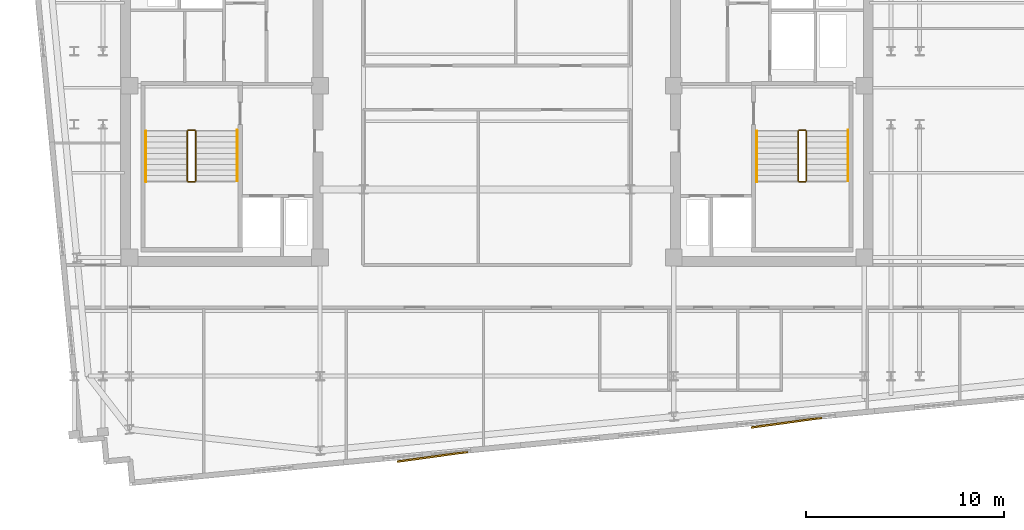
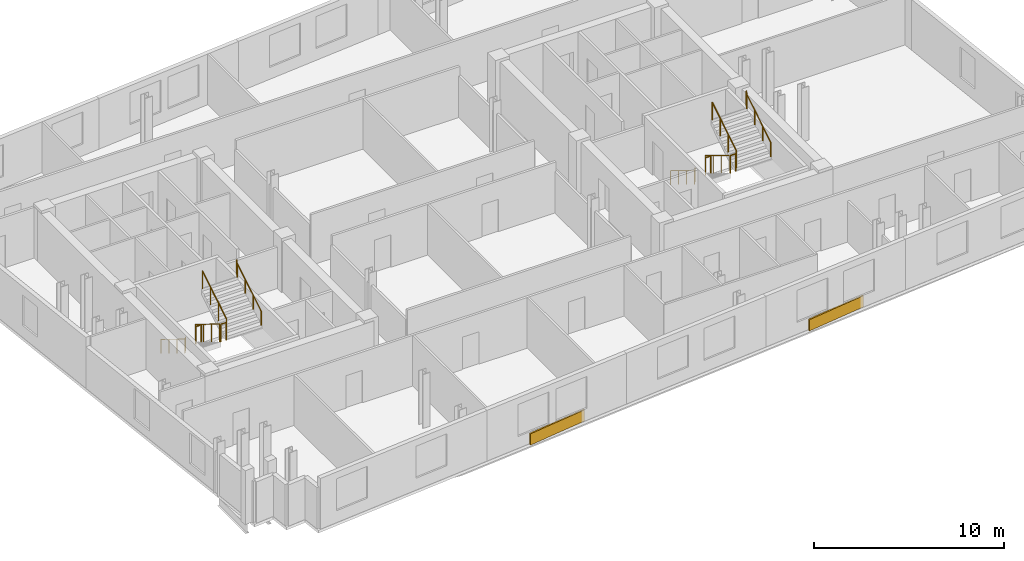
# One storey, part 8 of 9: 12 railings, 2 coverings.
"""IFC4 building model written with IfcOpenShell, lengths in metres."""

from ifc_helpers import new_model, si_unit, direction, frame, origin, origin_2d, place, context, subcontext, project, spatial, rectangle, circle, extrude, material, layer, layer_set, type_object, element, save


model = new_model("IFC4")

# Units and contexts
model_context = context("Model", 3, precision=1e-05, world=origin(), true_north=direction((0.0, 1.0)))
body_context = subcontext(model_context, "Body", "Model", "MODEL_VIEW")
ifc_project = project(units=[si_unit("LENGTHUNIT", "METRE"), si_unit("AREAUNIT", "SQUARE_METRE"), si_unit("VOLUMEUNIT", "CUBIC_METRE"), si_unit("PLANEANGLEUNIT", "RADIAN"), si_unit("MASSUNIT", "GRAM", prefix="KILO")], contexts=[model_context])

# Site, building, storey
site_placement = place(None, origin())
site = spatial("IfcSite", under=ifc_project, at=site_placement, CompositionType="ELEMENT")
building_placement = place(site_placement, origin())
building = spatial("IfcBuilding", under=site, at=building_placement, Name="Velakula Bourse", CompositionType="ELEMENT")
storey_placement = place(building_placement, frame((0.0, 0.0, 262.050048828125)))
storey = spatial("IfcBuildingStorey", under=building, at=storey_placement, Name="L71", CompositionType="ELEMENT", Elevation=262.050048828125)

# Coverings
ifc_material_1 = material(Name="Buff kilned clay facing brick masonry", Category="masonry")
ifc_layer = layer(ifc_material_1, 0.074951171875, Name="Buff kilned clay facing brick masonry", Category="masonry")
ifc_layer_set = layer_set([ifc_layer], Name="Buff kilned clay facing brick masonry")
covering_type = type_object("IfcCoveringType", Name="COV-BRK-SPN-75", PredefinedType="CLADDING", material=ifc_layer_set)
for number, where, z_axis, x_axis, name in (
    (1, (-3.26220703125, -18.68115234375, 0.0), (0.0, 0.0, 1.0), (0.990629029058, 0.136580111242, 0.0), "L71 Folded Brick Facade Cladding Panel S-B2"),
    (2, (14.655029296875, -16.955810546875, 0.0), (0.0, 0.0, 1.0), (0.990629029058, 0.136580111242, 0.0), "L71 Folded Brick Facade Cladding Panel S-B4"),
):
    element("IfcCovering", number, at=place(storey_placement, frame(where, z_axis=z_axis, x_axis=x_axis)), inside=storey, type_object=covering_type, Name=name, PredefinedType="CLADDING", context=body_context, shape_type="SweptSolid", body=[
        extrude(rectangle(XDim=3.60009765625, YDim=0.090087890625, at=origin_2d()), origin(), (0.0, 0.0, 1.0), 0.719970703125),
    ])

# Railings
ifc_material_2 = material(Name="Brushed grade 316 stainless steel", Category="steel")
railing_type_1 = type_object("IfcRailingType", Name="RLG-STAIR-GUARD-1150", PredefinedType="BALUSTRADE", material=ifc_material_2)
railing_1_placement = place(storey_placement, frame((-15.672119140625, -2.199951171875, 0.17236328125)))
element("IfcRailing", 3, at=railing_1_placement, inside=storey, type_object=railing_type_1, Name="L71 ST-W1 stair guard 1", PredefinedType="BALUSTRADE", context=body_context, shape_type="SweptSolid", body=[
    extrude(circle(Radius=0.02490234375, at=origin_2d()), frame((0.0, 0.0, 1.125), z_axis=(0.0, -0.851400495292, 0.524516154772), x_axis=(1.0, 0.0, 0.0)), (0.0, 0.0, 1.0), 2.9599609375),
    extrude(circle(Radius=0.02099609375, at=origin_2d()), origin(), (0.0, 0.0, 1.0), 1.099853515625),
    extrude(circle(Radius=0.02099609375, at=origin_2d()), frame((0.0, -0.840087890625, 0.517578125)), (0.0, 0.0, 1.0), 1.099853515625),
    extrude(circle(Radius=0.02099609375, at=origin_2d()), frame((0.0, -1.679931640625, 1.034912109375)), (0.0, 0.0, 1.0), 1.099853515625),
    extrude(circle(Radius=0.02099609375, at=origin_2d()), frame((0.0, -2.52001953125, 1.552490234375)), (0.0, 0.0, 1.0), 1.099853515625),
])
railing_2_placement = place(storey_placement, frame((-15.6220703125, -4.77001953125, 1.724853515625)))
element("IfcRailing", 4, at=railing_2_placement, inside=storey, type_object=railing_type_1, Name="L71 ST-W1 stair guard 2", PredefinedType="BALUSTRADE", context=body_context, shape_type="SweptSolid", body=[
    extrude(circle(Radius=0.02490234375, at=origin_2d()), frame((0.0, 0.0, 1.125), z_axis=(1.0, 0.0, 0.0), x_axis=(0.0, 1.0, 0.0)), (0.0, 0.0, 1.0), 0.323974609375),
    extrude(circle(Radius=0.02099609375, at=origin_2d()), origin(), (0.0, 0.0, 1.0), 1.099853515625),
    extrude(circle(Radius=0.02099609375, at=origin_2d()), frame((0.323974609375, 0.0, 0.0)), (0.0, 0.0, 1.0), 1.099853515625),
])
railing_3_placement = place(storey_placement, frame((-15.248046875, -4.719970703125, 1.8974609375)))
element("IfcRailing", 5, at=railing_3_placement, inside=storey, type_object=railing_type_1, Name="L71 ST-W1 stair guard 3", PredefinedType="BALUSTRADE", context=body_context, shape_type="SweptSolid", body=[
    extrude(circle(Radius=0.02490234375, at=origin_2d()), frame((0.0, 0.0, 1.125), z_axis=(0.0, 0.851400495292, 0.524516154772), x_axis=(-1.0, 0.0, 0.0)), (0.0, 0.0, 1.0), 2.9599609375),
    extrude(circle(Radius=0.02099609375, at=origin_2d()), origin(), (0.0, 0.0, 1.0), 1.099853515625),
    extrude(circle(Radius=0.02099609375, at=origin_2d()), frame((0.0, 0.840087890625, 0.517578125)), (0.0, 0.0, 1.0), 1.099853515625),
    extrude(circle(Radius=0.02099609375, at=origin_2d()), frame((0.0, 1.679931640625, 1.034912109375)), (0.0, 0.0, 1.0), 1.099853515625),
    extrude(circle(Radius=0.02099609375, at=origin_2d()), frame((0.0, 2.52001953125, 1.552490234375)), (0.0, 0.0, 1.0), 1.099853515625),
])
railing_4_placement = place(storey_placement, frame((-15.6220703125, -2.14990234375, 0.0)))
element("IfcRailing", 6, at=railing_4_placement, inside=storey, type_object=railing_type_1, Name="L71 ST-W1 stair guard 4", PredefinedType="BALUSTRADE", context=body_context, shape_type="SweptSolid", body=[
    extrude(circle(Radius=0.02490234375, at=origin_2d()), frame((0.0, 0.0, 1.125), z_axis=(1.0, 0.0, 0.0), x_axis=(0.0, 1.0, 0.0)), (0.0, 0.0, 1.0), 0.323974609375),
    extrude(circle(Radius=0.02099609375, at=origin_2d()), origin(), (0.0, 0.0, 1.0), 1.099853515625),
    extrude(circle(Radius=0.02099609375, at=origin_2d()), frame((0.323974609375, 0.0, 0.0)), (0.0, 0.0, 1.0), 1.099853515625),
])
railing_5_placement = place(storey_placement, frame((15.248046875, -2.199951171875, 0.17236328125)))
element("IfcRailing", 7, at=railing_5_placement, inside=storey, type_object=railing_type_1, Name="L71 ST-E1 stair guard 1", PredefinedType="BALUSTRADE", context=body_context, shape_type="SweptSolid", body=[
    extrude(circle(Radius=0.02490234375, at=origin_2d()), frame((0.0, 0.0, 1.125), z_axis=(0.0, -0.851400495292, 0.524516154772), x_axis=(1.0, 0.0, 0.0)), (0.0, 0.0, 1.0), 2.9599609375),
    extrude(circle(Radius=0.02099609375, at=origin_2d()), origin(), (0.0, 0.0, 1.0), 1.099853515625),
    extrude(circle(Radius=0.02099609375, at=origin_2d()), frame((0.0, -0.840087890625, 0.517578125)), (0.0, 0.0, 1.0), 1.099853515625),
    extrude(circle(Radius=0.02099609375, at=origin_2d()), frame((0.0, -1.679931640625, 1.034912109375)), (0.0, 0.0, 1.0), 1.099853515625),
    extrude(circle(Radius=0.02099609375, at=origin_2d()), frame((0.0, -2.52001953125, 1.552490234375)), (0.0, 0.0, 1.0), 1.099853515625),
])
railing_6_placement = place(storey_placement, frame((15.298095703125, -4.77001953125, 1.724853515625)))
element("IfcRailing", 8, at=railing_6_placement, inside=storey, type_object=railing_type_1, Name="L71 ST-E1 stair guard 2", PredefinedType="BALUSTRADE", context=body_context, shape_type="SweptSolid", body=[
    extrude(circle(Radius=0.02490234375, at=origin_2d()), frame((0.0, 0.0, 1.125), z_axis=(1.0, 0.0, 0.0), x_axis=(0.0, 1.0, 0.0)), (0.0, 0.0, 1.0), 0.323974609375),
    extrude(circle(Radius=0.02099609375, at=origin_2d()), origin(), (0.0, 0.0, 1.0), 1.099853515625),
    extrude(circle(Radius=0.02099609375, at=origin_2d()), frame((0.323974609375, 0.0, 0.0)), (0.0, 0.0, 1.0), 1.099853515625),
])
railing_7_placement = place(storey_placement, frame((15.672119140625, -4.719970703125, 1.8974609375)))
element("IfcRailing", 9, at=railing_7_placement, inside=storey, type_object=railing_type_1, Name="L71 ST-E1 stair guard 3", PredefinedType="BALUSTRADE", context=body_context, shape_type="SweptSolid", body=[
    extrude(circle(Radius=0.02490234375, at=origin_2d()), frame((0.0, 0.0, 1.125), z_axis=(0.0, 0.851400495292, 0.524516154772), x_axis=(-1.0, 0.0, 0.0)), (0.0, 0.0, 1.0), 2.9599609375),
    extrude(circle(Radius=0.02099609375, at=origin_2d()), origin(), (0.0, 0.0, 1.0), 1.099853515625),
    extrude(circle(Radius=0.02099609375, at=origin_2d()), frame((0.0, 0.840087890625, 0.517578125)), (0.0, 0.0, 1.0), 1.099853515625),
    extrude(circle(Radius=0.02099609375, at=origin_2d()), frame((0.0, 1.679931640625, 1.034912109375)), (0.0, 0.0, 1.0), 1.099853515625),
    extrude(circle(Radius=0.02099609375, at=origin_2d()), frame((0.0, 2.52001953125, 1.552490234375)), (0.0, 0.0, 1.0), 1.099853515625),
])
railing_8_placement = place(storey_placement, frame((15.298095703125, -2.14990234375, 0.0)))
element("IfcRailing", 10, at=railing_8_placement, inside=storey, type_object=railing_type_1, Name="L71 ST-E1 stair guard 4", PredefinedType="BALUSTRADE", context=body_context, shape_type="SweptSolid", body=[
    extrude(circle(Radius=0.02490234375, at=origin_2d()), frame((0.0, 0.0, 1.125), z_axis=(1.0, 0.0, 0.0), x_axis=(0.0, 1.0, 0.0)), (0.0, 0.0, 1.0), 0.323974609375),
    extrude(circle(Radius=0.02099609375, at=origin_2d()), origin(), (0.0, 0.0, 1.0), 1.099853515625),
    extrude(circle(Radius=0.02099609375, at=origin_2d()), frame((0.323974609375, 0.0, 0.0)), (0.0, 0.0, 1.0), 1.099853515625),
])
railing_type_2 = type_object("IfcRailingType", Name="RLG-STAIR-HAND-920", PredefinedType="HANDRAIL", material=ifc_material_2)
railing_9_placement = place(storey_placement, frame((-17.77001953125, -2.199951171875, 0.17236328125)))
element("IfcRailing", 11, at=railing_9_placement, inside=storey, type_object=railing_type_2, Name="L71 ST-W1 stair handrail 1", PredefinedType="HANDRAIL", context=body_context, shape_type="SweptSolid", body=[
    extrude(circle(Radius=0.02099609375, at=origin_2d()), frame((0.0, 0.0, 0.89892578125), z_axis=(0.0, -0.851400495292, 0.524516154772), x_axis=(1.0, 0.0, 0.0)), (0.0, 0.0, 1.0), 2.9599609375),
    extrude(circle(Radius=0.02099609375, at=origin_2d()), frame((0.0, -2.52001953125, 2.451416015625), z_axis=(0.0, -0.22596628056, 0.974135124123), x_axis=(1.0, 0.0, 0.0)), (0.0, 0.0, 1.0), 0.17724609375),
    extrude(circle(Radius=0.02099609375, at=origin_2d()), frame((0.0, -2.56005859375, 2.6240234375), z_axis=(0.0, -1.0, 0.0), x_axis=(1.0, 0.0, 0.0)), (0.0, 0.0, 1.0), 0.0048828125),
    extrude(circle(Radius=0.02099609375, at=origin_2d()), origin(), (0.0, 0.0, 1.0), 0.8779296875),
    extrude(circle(Radius=0.02099609375, at=origin_2d()), frame((0.0, -0.840087890625, 0.517578125)), (0.0, 0.0, 1.0), 0.8779296875),
    extrude(circle(Radius=0.02099609375, at=origin_2d()), frame((0.0, -1.679931640625, 1.034912109375)), (0.0, 0.0, 1.0), 0.8779296875),
    extrude(circle(Radius=0.02099609375, at=origin_2d()), frame((0.0, -2.52001953125, 1.552490234375)), (0.0, 0.0, 1.0), 0.8779296875),
    extrude(circle(Radius=0.02099609375, at=origin_2d()), frame((0.0, -2.56005859375, 1.72509765625)), (0.0, 0.0, 1.0), 0.8779296875),
    extrude(circle(Radius=0.02099609375, at=origin_2d()), frame((0.0, -2.56494140625, 1.72509765625)), (0.0, 0.0, 1.0), 0.8779296875),
])
railing_10_placement = place(storey_placement, frame((-13.14990234375, -4.719970703125, 1.8974609375)))
element("IfcRailing", 12, at=railing_10_placement, inside=storey, type_object=railing_type_2, Name="L71 ST-W1 stair handrail 2", PredefinedType="HANDRAIL", context=body_context, shape_type="SweptSolid", body=[
    extrude(circle(Radius=0.02099609375, at=origin_2d()), frame((0.0, 0.0, 0.89892578125), z_axis=(0.0, 0.851400495292, 0.524516154772), x_axis=(-1.0, 0.0, 0.0)), (0.0, 0.0, 1.0), 2.9599609375),
    extrude(circle(Radius=0.02099609375, at=origin_2d()), frame((0.0, 2.52001953125, 2.451416015625), z_axis=(0.0, 0.22596628056, 0.974135124123), x_axis=(-1.0, 0.0, 0.0)), (0.0, 0.0, 1.0), 0.17724609375),
    extrude(circle(Radius=0.02099609375, at=origin_2d()), frame((0.0, 2.56005859375, 2.6240234375), z_axis=(0.0, 1.0, 0.0), x_axis=(-1.0, 0.0, 0.0)), (0.0, 0.0, 1.0), 0.0048828125),
    extrude(circle(Radius=0.02099609375, at=origin_2d()), origin(), (0.0, 0.0, 1.0), 0.8779296875),
    extrude(circle(Radius=0.02099609375, at=origin_2d()), frame((0.0, 0.840087890625, 0.517578125)), (0.0, 0.0, 1.0), 0.8779296875),
    extrude(circle(Radius=0.02099609375, at=origin_2d()), frame((0.0, 1.679931640625, 1.034912109375)), (0.0, 0.0, 1.0), 0.8779296875),
    extrude(circle(Radius=0.02099609375, at=origin_2d()), frame((0.0, 2.52001953125, 1.552490234375)), (0.0, 0.0, 1.0), 0.8779296875),
    extrude(circle(Radius=0.02099609375, at=origin_2d()), frame((0.0, 2.56005859375, 1.72509765625)), (0.0, 0.0, 1.0), 0.8779296875),
    extrude(circle(Radius=0.02099609375, at=origin_2d()), frame((0.0, 2.56494140625, 1.72509765625)), (0.0, 0.0, 1.0), 0.8779296875),
])
railing_11_placement = place(storey_placement, frame((13.14990234375, -2.199951171875, 0.17236328125)))
element("IfcRailing", 13, at=railing_11_placement, inside=storey, type_object=railing_type_2, Name="L71 ST-E1 stair handrail 1", PredefinedType="HANDRAIL", context=body_context, shape_type="SweptSolid", body=[
    extrude(circle(Radius=0.02099609375, at=origin_2d()), frame((0.0, 0.0, 0.89892578125), z_axis=(0.0, -0.851400495292, 0.524516154772), x_axis=(1.0, 0.0, 0.0)), (0.0, 0.0, 1.0), 2.9599609375),
    extrude(circle(Radius=0.02099609375, at=origin_2d()), frame((0.0, -2.52001953125, 2.451416015625), z_axis=(0.0, -0.22596628056, 0.974135124123), x_axis=(1.0, 0.0, 0.0)), (0.0, 0.0, 1.0), 0.17724609375),
    extrude(circle(Radius=0.02099609375, at=origin_2d()), frame((0.0, -2.56005859375, 2.6240234375), z_axis=(0.0, -1.0, 0.0), x_axis=(1.0, 0.0, 0.0)), (0.0, 0.0, 1.0), 0.0048828125),
    extrude(circle(Radius=0.02099609375, at=origin_2d()), origin(), (0.0, 0.0, 1.0), 0.8779296875),
    extrude(circle(Radius=0.02099609375, at=origin_2d()), frame((0.0, -0.840087890625, 0.517578125)), (0.0, 0.0, 1.0), 0.8779296875),
    extrude(circle(Radius=0.02099609375, at=origin_2d()), frame((0.0, -1.679931640625, 1.034912109375)), (0.0, 0.0, 1.0), 0.8779296875),
    extrude(circle(Radius=0.02099609375, at=origin_2d()), frame((0.0, -2.52001953125, 1.552490234375)), (0.0, 0.0, 1.0), 0.8779296875),
    extrude(circle(Radius=0.02099609375, at=origin_2d()), frame((0.0, -2.56005859375, 1.72509765625)), (0.0, 0.0, 1.0), 0.8779296875),
    extrude(circle(Radius=0.02099609375, at=origin_2d()), frame((0.0, -2.56494140625, 1.72509765625)), (0.0, 0.0, 1.0), 0.8779296875),
])
railing_12_placement = place(storey_placement, frame((17.77001953125, -4.719970703125, 1.8974609375)))
element("IfcRailing", 14, at=railing_12_placement, inside=storey, type_object=railing_type_2, Name="L71 ST-E1 stair handrail 2", PredefinedType="HANDRAIL", context=body_context, shape_type="SweptSolid", body=[
    extrude(circle(Radius=0.02099609375, at=origin_2d()), frame((0.0, 0.0, 0.89892578125), z_axis=(0.0, 0.851400495292, 0.524516154772), x_axis=(-1.0, 0.0, 0.0)), (0.0, 0.0, 1.0), 2.9599609375),
    extrude(circle(Radius=0.02099609375, at=origin_2d()), frame((0.0, 2.52001953125, 2.451416015625), z_axis=(0.0, 0.22596628056, 0.974135124123), x_axis=(-1.0, 0.0, 0.0)), (0.0, 0.0, 1.0), 0.17724609375),
    extrude(circle(Radius=0.02099609375, at=origin_2d()), frame((0.0, 2.56005859375, 2.6240234375), z_axis=(0.0, 1.0, 0.0), x_axis=(-1.0, 0.0, 0.0)), (0.0, 0.0, 1.0), 0.0048828125),
    extrude(circle(Radius=0.02099609375, at=origin_2d()), origin(), (0.0, 0.0, 1.0), 0.8779296875),
    extrude(circle(Radius=0.02099609375, at=origin_2d()), frame((0.0, 0.840087890625, 0.517578125)), (0.0, 0.0, 1.0), 0.8779296875),
    extrude(circle(Radius=0.02099609375, at=origin_2d()), frame((0.0, 1.679931640625, 1.034912109375)), (0.0, 0.0, 1.0), 0.8779296875),
    extrude(circle(Radius=0.02099609375, at=origin_2d()), frame((0.0, 2.52001953125, 1.552490234375)), (0.0, 0.0, 1.0), 0.8779296875),
    extrude(circle(Radius=0.02099609375, at=origin_2d()), frame((0.0, 2.56005859375, 1.72509765625)), (0.0, 0.0, 1.0), 0.8779296875),
    extrude(circle(Radius=0.02099609375, at=origin_2d()), frame((0.0, 2.56494140625, 1.72509765625)), (0.0, 0.0, 1.0), 0.8779296875),
])

save(model, "model.ifc")
